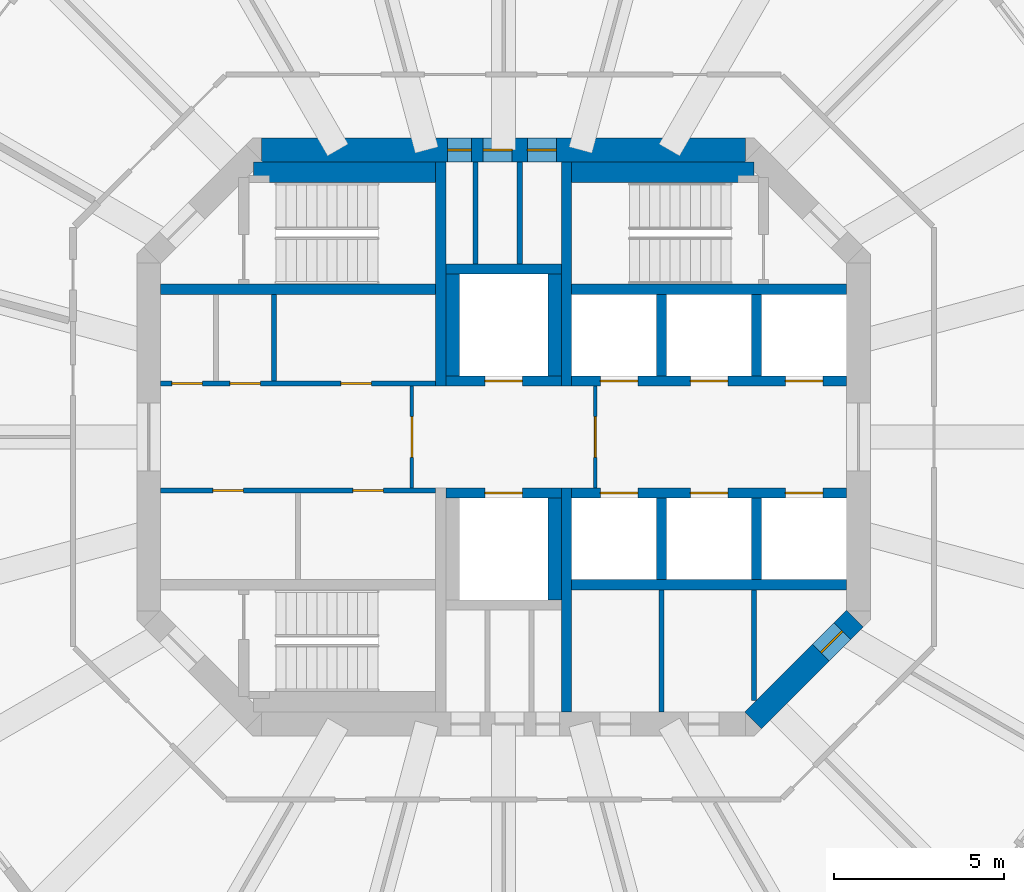
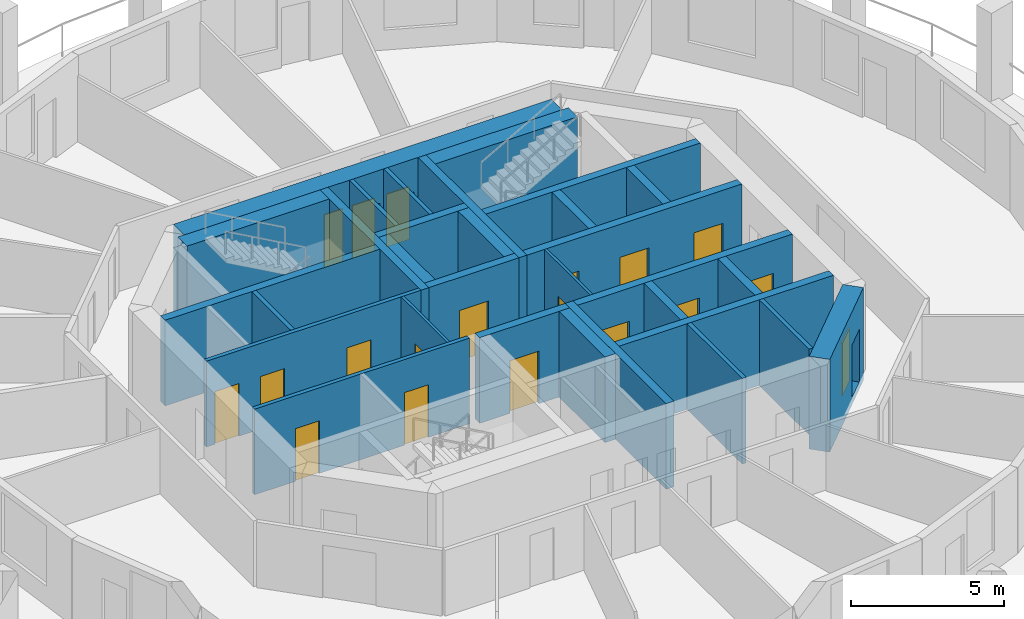
# One storey, part 4 of 8: 31 walls, 19 doors, 19 openings.
"""IFC4 building model written with IfcOpenShell, lengths in metres."""

from ifc_helpers import new_model, si_unit, direction, frame, frame_2d, origin, place, context, subcontext, project, spatial, rectangle, extrude, material, layer, layer_set, type_object, element, fill, save


model = new_model("IFC4")

# Units and contexts
model_context = context("Model", 3, precision=1e-05, world=origin(), true_north=direction((0.0, 1.0)))
body_context = subcontext(model_context, "Body", "Model", "MODEL_VIEW")
ifc_project = project(units=[si_unit("LENGTHUNIT", "METRE"), si_unit("AREAUNIT", "SQUARE_METRE"), si_unit("VOLUMEUNIT", "CUBIC_METRE"), si_unit("PLANEANGLEUNIT", "RADIAN"), si_unit("MASSUNIT", "GRAM", prefix="KILO")], contexts=[model_context])

# Site, building, storey
site_placement = place(None, origin())
site = spatial("IfcSite", under=ifc_project, at=site_placement, CompositionType="ELEMENT")
building_placement = place(site_placement, origin())
building = spatial("IfcBuilding", under=site, at=building_placement, Name="Torre Triforio", CompositionType="ELEMENT")
storey_placement = place(building_placement, frame((0.0, 0.0, 203.89990234375)))
storey = spatial("IfcBuildingStorey", under=building, at=storey_placement, Name="L46", CompositionType="ELEMENT", Elevation=203.89990234375)

# Walls
ifc_material_1 = material(Name="Concrete C50", Category="concrete")
ifc_layer_1 = layer(ifc_material_1, 0.300048828125)
ifc_layer_set_1 = layer_set([ifc_layer_1], Name="Concrete C50")
wall_type_1 = type_object("IfcWallType", Name="Core wall 300 mm C50 EI 120", PredefinedType="SHEAR", material=ifc_layer_set_1)
for number, where, z_axis, x_axis, name in (
    (1, (-1.85009765625, 1.5, 0.0), (0.0, 0.0, 1.0), (0.0, 1.0, 0.0), "Core wall"),
    (2, (1.85009765625, 1.5, 0.0), (0.0, 0.0, 1.0), (0.0, 1.0, 0.0), "Core wall"),
    (3, (1.85009765625, -8.10009765625, 0.0), (0.0, 0.0, 1.0), (0.0, 1.0, 0.0), "Core wall"),
):
    element("IfcWall", number, at=place(storey_placement, frame(where, z_axis=z_axis, x_axis=x_axis)), inside=storey, type_object=wall_type_1, Name=name, PredefinedType="SHEAR", context=body_context, shape_type="SweptSolid", body=[
        extrude(rectangle(XDim=6.60009765625, YDim=0.300048828125, at=frame_2d((3.300048828125, 0.0))), origin(), (0.0, 0.0, 1.0), 3.420166015625),
    ])

# Wall, openings, doors
ifc_layer_2 = layer(ifc_material_1, 0.699951171875)
ifc_layer_set_2 = layer_set([ifc_layer_2], Name="Concrete C50")
wall_type_2 = type_object("IfcWallType", Name="Core wall 700 mm C50 EI 120", PredefinedType="SHEAR", material=ifc_layer_set_2)
wall_1_placement = place(storey_placement, frame((-7.1298828125, 8.449951171875, -0.27978515625), z_axis=(0.0, 0.0, 1.0), x_axis=(1.0, 0.0, 0.0)))
wall_1 = element("IfcWall", 4, at=wall_1_placement, inside=storey, type_object=wall_type_2, Name="Core wall", PredefinedType="SHEAR", context=body_context, shape_type="SweptSolid", body=[
    extrude(rectangle(XDim=14.259765625, YDim=0.699951171875, at=frame_2d((7.1298828125, 0.0))), origin(), (0.0, 0.0, 1.0), 3.699951171875),
])
opening_1_placement = place(wall_1_placement, frame((5.47998046875, 0.0, 0.280029296875)))
opening_1 = element("IfcOpeningElement", 5, at=opening_1_placement, cuts=wall_1, Name="Opening RISER-N", PredefinedType="OPENING", context=body_context, shape_type="SweptSolid", body=[
    extrude(rectangle(XDim=0.699951171875, YDim=2.10009765625, at=frame_2d((0.35009765625, 1.050048828125))), frame((0.0, 0.35986328125, 0.0), z_axis=(0.0, -1.0, 0.0), x_axis=(1.0, 0.0, 0.0)), (0.0, 0.0, 1.0), 0.719970703125),
])
opening_2_placement = place(wall_1_placement, frame((6.530029296875, 0.0, 0.280029296875)))
opening_2 = element("IfcOpeningElement", 6, at=opening_2_placement, cuts=wall_1, Name="Opening NE-01A", PredefinedType="OPENING", context=body_context, shape_type="SweptSolid", body=[
    extrude(rectangle(XDim=0.85009765625, YDim=2.10009765625, at=frame_2d((0.425048828125, 1.050048828125))), frame((0.0, 0.35986328125, 0.0), z_axis=(0.0, -1.0, 0.0), x_axis=(1.0, 0.0, 0.0)), (0.0, 0.0, 1.0), 0.719970703125),
])
opening_3_placement = place(wall_1_placement, frame((7.830078125, 0.0, 0.280029296875)))
opening_3 = element("IfcOpeningElement", 7, at=opening_3_placement, cuts=wall_1, Name="Opening NE-02", PredefinedType="OPENING", context=body_context, shape_type="SweptSolid", body=[
    extrude(rectangle(XDim=0.85009765625, YDim=2.10009765625, at=frame_2d((0.425048828125, 1.050048828125))), frame((0.0, 0.35986328125, 0.0), z_axis=(0.0, -1.0, 0.0), x_axis=(1.0, 0.0, 0.0)), (0.0, 0.0, 1.0), 0.719970703125),
])
ifc_material_2 = material(Name="Hollow metal fire door leaf")
door_type_1 = type_object("IfcDoorType", Name="Plant room door 850 x 2100 EI 60", OperationType="NOTDEFINED", PredefinedType="DOOR", material=ifc_material_2)
door_1_placement = place(opening_3_placement, origin())
door_1 = element("IfcDoor", 8, at=door_1_placement, inside=storey, type_object=door_type_1, Name="Core door NE-02", OperationType="SINGLE_SWING_RIGHT", OverallHeight=2.10009765625, OverallWidth=0.85009765625, PredefinedType="DOOR", context=body_context, shape_type="SweptSolid", body=[
    extrude(rectangle(XDim=0.85009765625, YDim=2.10009765625, at=frame_2d((0.425048828125, 1.050048828125))), frame((0.0, 0.02490234375, 0.0), z_axis=(0.0, -1.0, 0.0), x_axis=(1.0, 0.0, 0.0)), (0.0, 0.0, 1.0), 0.050048828125),
])
fill(opening_3, door_1)
door_type_2 = type_object("IfcDoorType", Name="Riser door 700 x 2100 EI 60", OperationType="NOTDEFINED", PredefinedType="DOOR", material=ifc_material_2)
door_2_placement = place(opening_1_placement, origin())
door_2 = element("IfcDoor", 9, at=door_2_placement, inside=storey, type_object=door_type_2, Name="Core door RISER-N", OperationType="SINGLE_SWING_LEFT", OverallHeight=2.10009765625, OverallWidth=0.699951171875, PredefinedType="DOOR", context=body_context, shape_type="SweptSolid", body=[
    extrude(rectangle(XDim=0.699951171875, YDim=2.10009765625, at=frame_2d((0.35009765625, 1.050048828125))), frame((0.0, 0.02490234375, 0.0), z_axis=(0.0, -1.0, 0.0), x_axis=(1.0, 0.0, 0.0)), (0.0, 0.0, 1.0), 0.050048828125),
])
fill(opening_1, door_2)
door_type_3 = type_object("IfcDoorType", Name="Room door 850 x 2100 EI 60", OperationType="NOTDEFINED", PredefinedType="DOOR", material=ifc_material_2)
door_3_placement = place(opening_2_placement, origin())
door_3 = element("IfcDoor", 10, at=door_3_placement, inside=storey, type_object=door_type_3, Name="Core door NE-01", OperationType="SINGLE_SWING_LEFT", OverallHeight=2.10009765625, OverallWidth=0.85009765625, PredefinedType="DOOR", context=body_context, shape_type="SweptSolid", body=[
    extrude(rectangle(XDim=0.85009765625, YDim=2.10009765625, at=frame_2d((0.425048828125, 1.050048828125))), frame((0.0, 0.02490234375, 0.0), z_axis=(0.0, -1.0, 0.0), x_axis=(1.0, 0.0, 0.0)), (0.0, 0.0, 1.0), 0.050048828125),
])
fill(opening_2, door_3)

# Wall, opening, door
wall_2_placement = place(storey_placement, frame((10.347412109375, -5.347412109375, -0.27978515625), z_axis=(0.0, 0.0, 1.0), x_axis=(-0.707106781187, -0.707106781187, 0.0)))
wall_2 = element("IfcWall", 11, at=wall_2_placement, inside=storey, type_object=wall_type_2, Name="Core wall", PredefinedType="SHEAR", context=body_context, shape_type="SweptSolid", body=[
    extrude(rectangle(XDim=4.24267578125, YDim=0.699951171875, at=frame_2d((2.121337890625, 0.0))), origin(), (0.0, 0.0, 1.0), 3.699951171875),
])
opening_4_placement = place(wall_2_placement, frame((0.52001953125, 0.0, 0.280029296875)))
opening_4 = element("IfcOpeningElement", 12, at=opening_4_placement, cuts=wall_2, Name="Opening SE-03", PredefinedType="OPENING", context=body_context, shape_type="SweptSolid", body=[
    extrude(rectangle(XDim=0.89990234375, YDim=2.10009765625, at=frame_2d((0.449951171875, 1.050048828125))), frame((0.0, 0.35986328125, 0.0), z_axis=(0.0, -1.0, 0.0), x_axis=(1.0, 0.0, 0.0)), (0.0, 0.0, 1.0), 0.719970703125),
])
door_type_4 = type_object("IfcDoorType", Name="Room door 900 x 2100 EI 60", OperationType="NOTDEFINED", PredefinedType="DOOR", material=ifc_material_2)
door_4_placement = place(opening_4_placement, origin())
door_4 = element("IfcDoor", 13, at=door_4_placement, inside=storey, type_object=door_type_4, Name="Core door SE-03", OperationType="SINGLE_SWING_RIGHT", OverallHeight=2.10009765625, OverallWidth=0.89990234375, PredefinedType="DOOR", context=body_context, shape_type="SweptSolid", body=[
    extrude(rectangle(XDim=0.89990234375, YDim=2.10009765625, at=frame_2d((0.449951171875, 1.050048828125))), frame((0.0, 0.02490234375, 0.0), z_axis=(0.0, -1.0, 0.0), x_axis=(1.0, 0.0, 0.0)), (0.0, 0.0, 1.0), 0.050048828125),
])
fill(opening_4, door_4)

ifc_material_3 = material(Name="Block and board partition")
ifc_layer_3 = layer(ifc_material_3, 0.10009765625)
ifc_layer_set_3 = layer_set([ifc_layer_3], Name="Block and board partition")
wall_type_3 = type_object("IfcWallType", Name="Partition 100 mm EI 120", PredefinedType="PARTITIONING", material=ifc_layer_set_3)
wall_3_placement = place(storey_placement, frame((-2.699951171875, -1.5, 0.0), z_axis=(0.0, 0.0, 1.0), x_axis=(0.0, 1.0, 0.0)))
wall_3 = element("IfcWall", 14, at=wall_3_placement, inside=storey, type_object=wall_type_3, Name="Partition", PredefinedType="PARTITIONING", context=body_context, shape_type="SweptSolid", body=[
    extrude(rectangle(XDim=3.0, YDim=0.10009765625, at=frame_2d((1.5, 0.0))), origin(), (0.0, 0.0, 1.0), 3.420166015625),
])
opening_5_placement = place(wall_3_placement, frame((0.89990234375, 0.0, 0.0)))
opening_5 = element("IfcOpeningElement", 15, at=opening_5_placement, cuts=wall_3, Name="Opening FF-W", PredefinedType="OPENING", context=body_context, shape_type="SweptSolid", body=[
    extrude(rectangle(XDim=1.199951171875, YDim=2.10009765625, at=frame_2d((0.60009765625, 1.050048828125))), frame((0.0, 0.06005859375, 0.0), z_axis=(0.0, -1.0, 0.0), x_axis=(1.0, 0.0, 0.0)), (0.0, 0.0, 1.0), 0.1201171875),
])
door_type_5 = type_object("IfcDoorType", Name="Fire-fighting lobby door 1200 x 2100 EI 60", OperationType="NOTDEFINED", PredefinedType="DOOR", material=ifc_material_2)
door_5_placement = place(opening_5_placement, origin())
door_5 = element("IfcDoor", 16, at=door_5_placement, inside=storey, type_object=door_type_5, Name="Core door FF-W", OperationType="SINGLE_SWING_RIGHT", OverallHeight=2.10009765625, OverallWidth=1.199951171875, PredefinedType="DOOR", context=body_context, shape_type="SweptSolid", body=[
    extrude(rectangle(XDim=1.199951171875, YDim=2.10009765625, at=frame_2d((0.60009765625, 1.050048828125))), frame((0.0, 0.02490234375, 0.0), z_axis=(0.0, -1.0, 0.0), x_axis=(1.0, 0.0, 0.0)), (0.0, 0.0, 1.0), 0.050048828125),
])
fill(opening_5, door_5)

wall_4_placement = place(storey_placement, frame((2.699951171875, -1.5, 0.0), z_axis=(0.0, 0.0, 1.0), x_axis=(0.0, 1.0, 0.0)))
wall_4 = element("IfcWall", 17, at=wall_4_placement, inside=storey, type_object=wall_type_3, Name="Partition", PredefinedType="PARTITIONING", context=body_context, shape_type="SweptSolid", body=[
    extrude(rectangle(XDim=3.0, YDim=0.10009765625, at=frame_2d((1.5, 0.0))), origin(), (0.0, 0.0, 1.0), 3.420166015625),
])
opening_6_placement = place(wall_4_placement, frame((0.89990234375, 0.0, 0.0)))
opening_6 = element("IfcOpeningElement", 18, at=opening_6_placement, cuts=wall_4, Name="Opening FF-E", PredefinedType="OPENING", context=body_context, shape_type="SweptSolid", body=[
    extrude(rectangle(XDim=1.199951171875, YDim=2.10009765625, at=frame_2d((0.60009765625, 1.050048828125))), frame((0.0, 0.06005859375, 0.0), z_axis=(0.0, -1.0, 0.0), x_axis=(1.0, 0.0, 0.0)), (0.0, 0.0, 1.0), 0.1201171875),
])
door_6_placement = place(opening_6_placement, origin())
door_6 = element("IfcDoor", 19, at=door_6_placement, inside=storey, type_object=door_type_5, Name="Core door FF-E", OperationType="SINGLE_SWING_RIGHT", OverallHeight=2.10009765625, OverallWidth=1.199951171875, PredefinedType="DOOR", context=body_context, shape_type="SweptSolid", body=[
    extrude(rectangle(XDim=1.199951171875, YDim=2.10009765625, at=frame_2d((0.60009765625, 1.050048828125))), frame((0.0, 0.02490234375, 0.0), z_axis=(0.0, -1.0, 0.0), x_axis=(1.0, 0.0, 0.0)), (0.0, 0.0, 1.0), 0.050048828125),
])
fill(opening_6, door_6)

# Walls
ifc_layer_4 = layer(ifc_material_3, 0.14990234375)
ifc_layer_set_4 = layer_set([ifc_layer_4], Name="Block and board partition")
wall_type_4 = type_object("IfcWallType", Name="Partition 150 mm", PredefinedType="PARTITIONING", material=ifc_layer_set_4)
wall_5_placement = place(storey_placement, frame((0.47509765625, 5.10009765625, 0.0), z_axis=(0.0, 0.0, 1.0), x_axis=(0.0, 1.0, 0.0)))
element("IfcWall", 20, at=wall_5_placement, inside=storey, type_object=wall_type_4, Name="Partition", PredefinedType="PARTITIONING", context=body_context, shape_type="SweptSolid", body=[
    extrude(rectangle(XDim=3.0, YDim=0.14990234375, at=frame_2d((1.5, 0.0))), origin(), (0.0, 0.0, 1.0), 3.420166015625),
])
wall_6_placement = place(storey_placement, frame((4.64892578125, -8.10009765625, 0.0), z_axis=(0.0, 0.0, 1.0), x_axis=(0.0, 1.0, 0.0)))
element("IfcWall", 21, at=wall_6_placement, inside=storey, type_object=wall_type_4, Name="Partition", PredefinedType="PARTITIONING", context=body_context, shape_type="SweptSolid", body=[
    extrude(rectangle(XDim=3.60009765625, YDim=0.14990234375, at=frame_2d((1.800048828125, 0.0))), origin(), (0.0, 0.0, 1.0), 3.420166015625),
])
wall_7_placement = place(storey_placement, frame((7.373046875, -7.751953125, 0.0), z_axis=(0.0, 0.0, 1.0), x_axis=(0.0, 1.0, 0.0)))
element("IfcWall", 22, at=wall_7_placement, inside=storey, type_object=wall_type_4, Name="Partition", PredefinedType="PARTITIONING", context=body_context, shape_type="SweptSolid", body=[
    extrude(rectangle(XDim=3.251953125, YDim=0.14990234375, at=frame_2d((1.6259765625, 0.0))), origin(), (0.0, 0.0, 1.0), 3.420166015625),
])
wall_8_placement = place(storey_placement, frame((-6.7548828125, 1.64990234375, 0.0), z_axis=(0.0, 0.0, 1.0), x_axis=(0.0, 1.0, 0.0)))
element("IfcWall", 23, at=wall_8_placement, inside=storey, type_object=wall_type_4, Name="Partition", PredefinedType="PARTITIONING", context=body_context, shape_type="SweptSolid", body=[
    extrude(rectangle(XDim=2.550048828125, YDim=0.14990234375, at=frame_2d((1.27490234375, 0.0))), origin(), (0.0, 0.0, 1.0), 3.420166015625),
])
ifc_layer_5 = layer(ifc_material_3, 0.14990234375)
ifc_layer_set_5 = layer_set([ifc_layer_5], Name="Block and board partition")
wall_type_5 = type_object("IfcWallType", Name="Partition 150 mm EI 120", PredefinedType="PARTITIONING", material=ifc_layer_set_5)
wall_9_placement = place(storey_placement, frame((-0.824951171875, 5.10009765625, 0.0), z_axis=(0.0, 0.0, 1.0), x_axis=(0.0, 1.0, 0.0)))
element("IfcWall", 24, at=wall_9_placement, inside=storey, type_object=wall_type_5, Name="Partition", PredefinedType="PARTITIONING", context=body_context, shape_type="SweptSolid", body=[
    extrude(rectangle(XDim=3.0, YDim=0.14990234375, at=frame_2d((1.5, 0.0))), origin(), (0.0, 0.0, 1.0), 3.420166015625),
])

# Wall, openings, doors
wall_10_placement = place(storey_placement, frame((-10.10009765625, 1.574951171875, 0.0), z_axis=(0.0, 0.0, 1.0), x_axis=(1.0, 0.0, 0.0)))
wall_10 = element("IfcWall", 25, at=wall_10_placement, inside=storey, type_object=wall_type_5, Name="Partition", PredefinedType="PARTITIONING", context=body_context, shape_type="SweptSolid", body=[
    extrude(rectangle(XDim=8.10009765625, YDim=0.14990234375, at=frame_2d((4.050048828125, 0.0))), origin(), (0.0, 0.0, 1.0), 3.420166015625),
])
opening_7_placement = place(wall_10_placement, frame((0.330078125, 0.0, 0.0)))
opening_7 = element("IfcOpeningElement", 26, at=opening_7_placement, cuts=wall_10, Name="Opening FN-01", PredefinedType="OPENING", context=body_context, shape_type="SweptSolid", body=[
    extrude(rectangle(XDim=0.89990234375, YDim=2.10009765625, at=frame_2d((0.449951171875, 1.050048828125))), frame((0.0, 0.0849609375, 0.0), z_axis=(0.0, -1.0, 0.0), x_axis=(1.0, 0.0, 0.0)), (0.0, 0.0, 1.0), 0.169921875),
])
opening_8_placement = place(wall_10_placement, frame((2.0400390625, 0.0, 0.0)))
opening_8 = element("IfcOpeningElement", 27, at=opening_8_placement, cuts=wall_10, Name="Opening FN-02", PredefinedType="OPENING", context=body_context, shape_type="SweptSolid", body=[
    extrude(rectangle(XDim=0.89990234375, YDim=2.10009765625, at=frame_2d((0.449951171875, 1.050048828125))), frame((0.0, 0.0849609375, 0.0), z_axis=(0.0, -1.0, 0.0), x_axis=(1.0, 0.0, 0.0)), (0.0, 0.0, 1.0), 0.169921875),
])
opening_9_placement = place(wall_10_placement, frame((5.31005859375, 0.0, 0.0)))
opening_9 = element("IfcOpeningElement", 28, at=opening_9_placement, cuts=wall_10, Name="Opening FN-03", PredefinedType="OPENING", context=body_context, shape_type="SweptSolid", body=[
    extrude(rectangle(XDim=0.89990234375, YDim=2.10009765625, at=frame_2d((0.449951171875, 1.050048828125))), frame((0.0, 0.0849609375, 0.0), z_axis=(0.0, -1.0, 0.0), x_axis=(1.0, 0.0, 0.0)), (0.0, 0.0, 1.0), 0.169921875),
])
door_7_placement = place(opening_7_placement, origin())
door_7 = element("IfcDoor", 29, at=door_7_placement, inside=storey, type_object=door_type_4, Name="Core door FN-01", OperationType="SINGLE_SWING_RIGHT", OverallHeight=2.10009765625, OverallWidth=0.89990234375, PredefinedType="DOOR", context=body_context, shape_type="SweptSolid", body=[
    extrude(rectangle(XDim=0.89990234375, YDim=2.10009765625, at=frame_2d((0.449951171875, 1.050048828125))), frame((0.0, 0.02490234375, 0.0), z_axis=(0.0, -1.0, 0.0), x_axis=(1.0, 0.0, 0.0)), (0.0, 0.0, 1.0), 0.050048828125),
])
fill(opening_7, door_7)
door_8_placement = place(opening_8_placement, origin())
door_8 = element("IfcDoor", 30, at=door_8_placement, inside=storey, type_object=door_type_4, Name="Core door FN-02", OperationType="SINGLE_SWING_RIGHT", OverallHeight=2.10009765625, OverallWidth=0.89990234375, PredefinedType="DOOR", context=body_context, shape_type="SweptSolid", body=[
    extrude(rectangle(XDim=0.89990234375, YDim=2.10009765625, at=frame_2d((0.449951171875, 1.050048828125))), frame((0.0, 0.02490234375, 0.0), z_axis=(0.0, -1.0, 0.0), x_axis=(1.0, 0.0, 0.0)), (0.0, 0.0, 1.0), 0.050048828125),
])
fill(opening_8, door_8)
door_9_placement = place(opening_9_placement, origin())
door_9 = element("IfcDoor", 31, at=door_9_placement, inside=storey, type_object=door_type_4, Name="Core door FN-03", OperationType="SINGLE_SWING_RIGHT", OverallHeight=2.10009765625, OverallWidth=0.89990234375, PredefinedType="DOOR", context=body_context, shape_type="SweptSolid", body=[
    extrude(rectangle(XDim=0.89990234375, YDim=2.10009765625, at=frame_2d((0.449951171875, 1.050048828125))), frame((0.0, 0.02490234375, 0.0), z_axis=(0.0, -1.0, 0.0), x_axis=(1.0, 0.0, 0.0)), (0.0, 0.0, 1.0), 0.050048828125),
])
fill(opening_9, door_9)

wall_11_placement = place(storey_placement, frame((-10.10009765625, -1.574951171875, 0.0), z_axis=(0.0, 0.0, 1.0), x_axis=(1.0, 0.0, 0.0)))
wall_11 = element("IfcWall", 32, at=wall_11_placement, inside=storey, type_object=wall_type_5, Name="Partition", PredefinedType="PARTITIONING", context=body_context, shape_type="SweptSolid", body=[
    extrude(rectangle(XDim=8.10009765625, YDim=0.14990234375, at=frame_2d((4.050048828125, 0.0))), origin(), (0.0, 0.0, 1.0), 3.420166015625),
])
opening_10_placement = place(wall_11_placement, frame((1.53759765625, 0.0, 0.0)))
opening_10 = element("IfcOpeningElement", 33, at=opening_10_placement, cuts=wall_11, Name="Opening FS-01", PredefinedType="OPENING", context=body_context, shape_type="SweptSolid", body=[
    extrude(rectangle(XDim=0.89990234375, YDim=2.10009765625, at=frame_2d((0.449951171875, 1.050048828125))), frame((0.0, 0.0849609375, 0.0), z_axis=(0.0, -1.0, 0.0), x_axis=(1.0, 0.0, 0.0)), (0.0, 0.0, 1.0), 0.169921875),
])
opening_11_placement = place(wall_11_placement, frame((5.66259765625, 0.0, 0.0)))
opening_11 = element("IfcOpeningElement", 34, at=opening_11_placement, cuts=wall_11, Name="Opening FS-02", PredefinedType="OPENING", context=body_context, shape_type="SweptSolid", body=[
    extrude(rectangle(XDim=0.89990234375, YDim=2.10009765625, at=frame_2d((0.449951171875, 1.050048828125))), frame((0.0, 0.0849609375, 0.0), z_axis=(0.0, -1.0, 0.0), x_axis=(1.0, 0.0, 0.0)), (0.0, 0.0, 1.0), 0.169921875),
])
door_10_placement = place(opening_10_placement, origin())
door_10 = element("IfcDoor", 35, at=door_10_placement, inside=storey, type_object=door_type_4, Name="Core door FS-01", OperationType="SINGLE_SWING_LEFT", OverallHeight=2.10009765625, OverallWidth=0.89990234375, PredefinedType="DOOR", context=body_context, shape_type="SweptSolid", body=[
    extrude(rectangle(XDim=0.89990234375, YDim=2.10009765625, at=frame_2d((0.449951171875, 1.050048828125))), frame((0.0, 0.02490234375, 0.0), z_axis=(0.0, -1.0, 0.0), x_axis=(1.0, 0.0, 0.0)), (0.0, 0.0, 1.0), 0.050048828125),
])
fill(opening_10, door_10)
door_11_placement = place(opening_11_placement, origin())
door_11 = element("IfcDoor", 36, at=door_11_placement, inside=storey, type_object=door_type_4, Name="Core door FS-02", OperationType="SINGLE_SWING_LEFT", OverallHeight=2.10009765625, OverallWidth=0.89990234375, PredefinedType="DOOR", context=body_context, shape_type="SweptSolid", body=[
    extrude(rectangle(XDim=0.89990234375, YDim=2.10009765625, at=frame_2d((0.449951171875, 1.050048828125))), frame((0.0, 0.02490234375, 0.0), z_axis=(0.0, -1.0, 0.0), x_axis=(1.0, 0.0, 0.0)), (0.0, 0.0, 1.0), 0.050048828125),
])
fill(opening_11, door_11)

# Walls
ifc_layer_6 = layer(ifc_material_1, 0.300048828125)
ifc_layer_set_6 = layer_set([ifc_layer_6], Name="Concrete C50")
wall_type_6 = type_object("IfcWallType", Name="Shaft wall 300 mm C50 EI 120", PredefinedType="SOLIDWALL", material=ifc_layer_set_6)
for number, where, z_axis, x_axis, name in (
    (37, (-10.10009765625, 4.35009765625, 0.0), (0.0, 0.0, 1.0), (1.0, 0.0, 0.0), "Shaft wall"),
    (38, (2.0, 4.35009765625, 0.0), (0.0, 0.0, 1.0), (1.0, 0.0, 0.0), "Shaft wall"),
    (39, (2.0, -4.35009765625, 0.0), (0.0, 0.0, 1.0), (1.0, 0.0, 0.0), "Shaft wall"),
):
    element("IfcWall", number, at=place(storey_placement, frame(where, z_axis=z_axis, x_axis=x_axis)), inside=storey, type_object=wall_type_6, Name=name, PredefinedType="SOLIDWALL", context=body_context, shape_type="SweptSolid", body=[
        extrude(rectangle(XDim=8.10009765625, YDim=0.300048828125, at=frame_2d((4.050048828125, 0.0))), origin(), (0.0, 0.0, 1.0), 3.420166015625),
    ])

# Wall, openings, doors
wall_12_placement = place(storey_placement, frame((2.0, 1.64990234375, 0.0), z_axis=(0.0, 0.0, 1.0), x_axis=(1.0, 0.0, 0.0)))
wall_12 = element("IfcWall", 40, at=wall_12_placement, inside=storey, type_object=wall_type_6, Name="Shaft wall", PredefinedType="SOLIDWALL", context=body_context, shape_type="SweptSolid", body=[
    extrude(rectangle(XDim=8.10009765625, YDim=0.300048828125, at=frame_2d((4.050048828125, 0.0))), origin(), (0.0, 0.0, 1.0), 3.420166015625),
])
opening_12_placement = place(wall_12_placement, frame((0.85009765625, 0.0, 0.0)))
opening_12 = element("IfcOpeningElement", 41, at=opening_12_placement, cuts=wall_12, Name="Opening LD", PredefinedType="OPENING", context=body_context, shape_type="SweptSolid", body=[
    extrude(rectangle(XDim=1.10009765625, YDim=2.10009765625, at=frame_2d((0.550048828125, 1.050048828125))), frame((0.0, 0.159912109375, 0.0), z_axis=(0.0, -1.0, 0.0), x_axis=(1.0, 0.0, 0.0)), (0.0, 0.0, 1.0), 0.320068359375),
])
opening_13_placement = place(wall_12_placement, frame((3.5, 0.0, 0.0)))
opening_13 = element("IfcOpeningElement", 42, at=opening_13_placement, cuts=wall_12, Name="Opening LD", PredefinedType="OPENING", context=body_context, shape_type="SweptSolid", body=[
    extrude(rectangle(XDim=1.10009765625, YDim=2.10009765625, at=frame_2d((0.550048828125, 1.050048828125))), frame((0.0, 0.159912109375, 0.0), z_axis=(0.0, -1.0, 0.0), x_axis=(1.0, 0.0, 0.0)), (0.0, 0.0, 1.0), 0.320068359375),
])
opening_14_placement = place(wall_12_placement, frame((6.300048828125, 0.0, 0.0)))
opening_14 = element("IfcOpeningElement", 43, at=opening_14_placement, cuts=wall_12, Name="Opening LD", PredefinedType="OPENING", context=body_context, shape_type="SweptSolid", body=[
    extrude(rectangle(XDim=1.10009765625, YDim=2.10009765625, at=frame_2d((0.550048828125, 1.050048828125))), frame((0.0, 0.159912109375, 0.0), z_axis=(0.0, -1.0, 0.0), x_axis=(1.0, 0.0, 0.0)), (0.0, 0.0, 1.0), 0.320068359375),
])
door_type_6 = type_object("IfcDoorType", Name="Landing door 1100 x 2100 EI 60", OperationType="DOUBLE_DOOR_SLIDING", PredefinedType="DOOR", material=ifc_material_2)
door_12_placement = place(opening_12_placement, origin())
door_12 = element("IfcDoor", 44, at=door_12_placement, inside=storey, type_object=door_type_6, Name="Landing door HR1", OperationType="DOUBLE_DOOR_SLIDING", OverallHeight=2.10009765625, OverallWidth=1.10009765625, PredefinedType="DOOR", context=body_context, shape_type="SweptSolid", body=[
    extrude(rectangle(XDim=1.10009765625, YDim=2.10009765625, at=frame_2d((0.550048828125, 1.050048828125))), frame((0.0, 0.02490234375, 0.0), z_axis=(0.0, -1.0, 0.0), x_axis=(1.0, 0.0, 0.0)), (0.0, 0.0, 1.0), 0.050048828125),
])
fill(opening_12, door_12)
door_13_placement = place(opening_13_placement, origin())
door_13 = element("IfcDoor", 45, at=door_13_placement, inside=storey, type_object=door_type_6, Name="Landing door HR2", OperationType="DOUBLE_DOOR_SLIDING", OverallHeight=2.10009765625, OverallWidth=1.10009765625, PredefinedType="DOOR", context=body_context, shape_type="SweptSolid", body=[
    extrude(rectangle(XDim=1.10009765625, YDim=2.10009765625, at=frame_2d((0.550048828125, 1.050048828125))), frame((0.0, 0.02490234375, 0.0), z_axis=(0.0, -1.0, 0.0), x_axis=(1.0, 0.0, 0.0)), (0.0, 0.0, 1.0), 0.050048828125),
])
fill(opening_13, door_13)
door_14_placement = place(opening_14_placement, origin())
door_14 = element("IfcDoor", 46, at=door_14_placement, inside=storey, type_object=door_type_6, Name="Landing door HR3", OperationType="DOUBLE_DOOR_SLIDING", OverallHeight=2.10009765625, OverallWidth=1.10009765625, PredefinedType="DOOR", context=body_context, shape_type="SweptSolid", body=[
    extrude(rectangle(XDim=1.10009765625, YDim=2.10009765625, at=frame_2d((0.550048828125, 1.050048828125))), frame((0.0, 0.02490234375, 0.0), z_axis=(0.0, -1.0, 0.0), x_axis=(1.0, 0.0, 0.0)), (0.0, 0.0, 1.0), 0.050048828125),
])
fill(opening_14, door_14)

wall_13_placement = place(storey_placement, frame((2.0, -1.64990234375, 0.0), z_axis=(0.0, 0.0, 1.0), x_axis=(1.0, 0.0, 0.0)))
wall_13 = element("IfcWall", 47, at=wall_13_placement, inside=storey, type_object=wall_type_6, Name="Shaft wall", PredefinedType="SOLIDWALL", context=body_context, shape_type="SweptSolid", body=[
    extrude(rectangle(XDim=8.10009765625, YDim=0.300048828125, at=frame_2d((4.050048828125, 0.0))), origin(), (0.0, 0.0, 1.0), 3.420166015625),
])
opening_15_placement = place(wall_13_placement, frame((0.85009765625, 0.0, 0.0)))
opening_15 = element("IfcOpeningElement", 48, at=opening_15_placement, cuts=wall_13, Name="Opening LD", PredefinedType="OPENING", context=body_context, shape_type="SweptSolid", body=[
    extrude(rectangle(XDim=1.10009765625, YDim=2.10009765625, at=frame_2d((0.550048828125, 1.050048828125))), frame((0.0, 0.159912109375, 0.0), z_axis=(0.0, -1.0, 0.0), x_axis=(1.0, 0.0, 0.0)), (0.0, 0.0, 1.0), 0.320068359375),
])
opening_16_placement = place(wall_13_placement, frame((3.5, 0.0, 0.0)))
opening_16 = element("IfcOpeningElement", 49, at=opening_16_placement, cuts=wall_13, Name="Opening LD", PredefinedType="OPENING", context=body_context, shape_type="SweptSolid", body=[
    extrude(rectangle(XDim=1.10009765625, YDim=2.10009765625, at=frame_2d((0.550048828125, 1.050048828125))), frame((0.0, 0.159912109375, 0.0), z_axis=(0.0, -1.0, 0.0), x_axis=(1.0, 0.0, 0.0)), (0.0, 0.0, 1.0), 0.320068359375),
])
opening_17_placement = place(wall_13_placement, frame((6.300048828125, 0.0, 0.0)))
opening_17 = element("IfcOpeningElement", 50, at=opening_17_placement, cuts=wall_13, Name="Opening LD", PredefinedType="OPENING", context=body_context, shape_type="SweptSolid", body=[
    extrude(rectangle(XDim=1.10009765625, YDim=2.10009765625, at=frame_2d((0.550048828125, 1.050048828125))), frame((0.0, 0.159912109375, 0.0), z_axis=(0.0, -1.0, 0.0), x_axis=(1.0, 0.0, 0.0)), (0.0, 0.0, 1.0), 0.320068359375),
])
door_15_placement = place(opening_15_placement, origin())
door_15 = element("IfcDoor", 51, at=door_15_placement, inside=storey, type_object=door_type_6, Name="Landing door HR4", OperationType="DOUBLE_DOOR_SLIDING", OverallHeight=2.10009765625, OverallWidth=1.10009765625, PredefinedType="DOOR", context=body_context, shape_type="SweptSolid", body=[
    extrude(rectangle(XDim=1.10009765625, YDim=2.10009765625, at=frame_2d((0.550048828125, 1.050048828125))), frame((0.0, 0.02490234375, 0.0), z_axis=(0.0, -1.0, 0.0), x_axis=(1.0, 0.0, 0.0)), (0.0, 0.0, 1.0), 0.050048828125),
])
fill(opening_15, door_15)
door_16_placement = place(opening_16_placement, origin())
door_16 = element("IfcDoor", 52, at=door_16_placement, inside=storey, type_object=door_type_6, Name="Landing door HR5", OperationType="DOUBLE_DOOR_SLIDING", OverallHeight=2.10009765625, OverallWidth=1.10009765625, PredefinedType="DOOR", context=body_context, shape_type="SweptSolid", body=[
    extrude(rectangle(XDim=1.10009765625, YDim=2.10009765625, at=frame_2d((0.550048828125, 1.050048828125))), frame((0.0, 0.02490234375, 0.0), z_axis=(0.0, -1.0, 0.0), x_axis=(1.0, 0.0, 0.0)), (0.0, 0.0, 1.0), 0.050048828125),
])
fill(opening_16, door_16)
door_17_placement = place(opening_17_placement, origin())
door_17 = element("IfcDoor", 53, at=door_17_placement, inside=storey, type_object=door_type_6, Name="Landing door HR6", OperationType="DOUBLE_DOOR_SLIDING", OverallHeight=2.10009765625, OverallWidth=1.10009765625, PredefinedType="DOOR", context=body_context, shape_type="SweptSolid", body=[
    extrude(rectangle(XDim=1.10009765625, YDim=2.10009765625, at=frame_2d((0.550048828125, 1.050048828125))), frame((0.0, 0.02490234375, 0.0), z_axis=(0.0, -1.0, 0.0), x_axis=(1.0, 0.0, 0.0)), (0.0, 0.0, 1.0), 0.050048828125),
])
fill(opening_17, door_17)

# Walls
for number, where, z_axis, x_axis, name in (
    (54, (4.64990234375, 1.800048828125, 0.0), (0.0, 0.0, 1.0), (0.0, 1.0, 0.0), "Shaft wall"),
    (55, (4.64990234375, -4.199951171875, 0.0), (0.0, 0.0, 1.0), (0.0, 1.0, 0.0), "Shaft wall"),
    (56, (7.449951171875, 1.800048828125, 0.0), (0.0, 0.0, 1.0), (0.0, 1.0, 0.0), "Shaft wall"),
    (57, (7.449951171875, -4.199951171875, 0.0), (0.0, 0.0, 1.0), (0.0, 1.0, 0.0), "Shaft wall"),
):
    element("IfcWall", number, at=place(storey_placement, frame(where, z_axis=z_axis, x_axis=x_axis)), inside=storey, type_object=wall_type_6, Name=name, PredefinedType="SOLIDWALL", context=body_context, shape_type="SweptSolid", body=[
        extrude(rectangle(XDim=2.39990234375, YDim=0.300048828125, at=frame_2d((1.199951171875, 0.0))), origin(), (0.0, 0.0, 1.0), 3.420166015625),
    ])

# Wall, opening, door
wall_14_placement = place(storey_placement, frame((-1.699951171875, 1.64990234375, 0.0), z_axis=(0.0, 0.0, 1.0), x_axis=(1.0, 0.0, 0.0)))
wall_14 = element("IfcWall", 58, at=wall_14_placement, inside=storey, type_object=wall_type_6, Name="Shaft wall", PredefinedType="SOLIDWALL", context=body_context, shape_type="SweptSolid", body=[
    extrude(rectangle(XDim=3.39990234375, YDim=0.300048828125, at=frame_2d((1.699951171875, 0.0))), origin(), (0.0, 0.0, 1.0), 3.420166015625),
])
opening_18_placement = place(wall_14_placement, frame((1.14990234375, 0.0, 0.0)))
opening_18 = element("IfcOpeningElement", 59, at=opening_18_placement, cuts=wall_14, Name="Opening LD", PredefinedType="OPENING", context=body_context, shape_type="SweptSolid", body=[
    extrude(rectangle(XDim=1.10009765625, YDim=2.10009765625, at=frame_2d((0.550048828125, 1.050048828125))), frame((0.0, 0.159912109375, 0.0), z_axis=(0.0, -1.0, 0.0), x_axis=(1.0, 0.0, 0.0)), (0.0, 0.0, 1.0), 0.320068359375),
])
door_18_placement = place(opening_18_placement, origin())
door_18 = element("IfcDoor", 60, at=door_18_placement, inside=storey, type_object=door_type_6, Name="Landing door FFL1", OperationType="DOUBLE_DOOR_SLIDING", OverallHeight=2.10009765625, OverallWidth=1.10009765625, PredefinedType="DOOR", context=body_context, shape_type="SweptSolid", body=[
    extrude(rectangle(XDim=1.10009765625, YDim=2.10009765625, at=frame_2d((0.550048828125, 1.050048828125))), frame((0.0, 0.02490234375, 0.0), z_axis=(0.0, -1.0, 0.0), x_axis=(1.0, 0.0, 0.0)), (0.0, 0.0, 1.0), 0.050048828125),
])
fill(opening_18, door_18)

wall_15_placement = place(storey_placement, frame((-1.699951171875, -1.64990234375, 0.0), z_axis=(0.0, 0.0, 1.0), x_axis=(1.0, 0.0, 0.0)))
wall_15 = element("IfcWall", 61, at=wall_15_placement, inside=storey, type_object=wall_type_6, Name="Shaft wall", PredefinedType="SOLIDWALL", context=body_context, shape_type="SweptSolid", body=[
    extrude(rectangle(XDim=3.39990234375, YDim=0.300048828125, at=frame_2d((1.699951171875, 0.0))), origin(), (0.0, 0.0, 1.0), 3.420166015625),
])
opening_19_placement = place(wall_15_placement, frame((1.14990234375, 0.0, 0.0)))
opening_19 = element("IfcOpeningElement", 62, at=opening_19_placement, cuts=wall_15, Name="Opening LD", PredefinedType="OPENING", context=body_context, shape_type="SweptSolid", body=[
    extrude(rectangle(XDim=1.10009765625, YDim=2.10009765625, at=frame_2d((0.550048828125, 1.050048828125))), frame((0.0, 0.159912109375, 0.0), z_axis=(0.0, -1.0, 0.0), x_axis=(1.0, 0.0, 0.0)), (0.0, 0.0, 1.0), 0.320068359375),
])
door_19_placement = place(opening_19_placement, origin())
door_19 = element("IfcDoor", 63, at=door_19_placement, inside=storey, type_object=door_type_6, Name="Landing door FFL2", OperationType="DOUBLE_DOOR_SLIDING", OverallHeight=2.10009765625, OverallWidth=1.10009765625, PredefinedType="DOOR", context=body_context, shape_type="SweptSolid", body=[
    extrude(rectangle(XDim=1.10009765625, YDim=2.10009765625, at=frame_2d((0.550048828125, 1.050048828125))), frame((0.0, 0.02490234375, 0.0), z_axis=(0.0, -1.0, 0.0), x_axis=(1.0, 0.0, 0.0)), (0.0, 0.0, 1.0), 0.050048828125),
])
fill(opening_19, door_19)

# Walls
wall_16_placement = place(storey_placement, frame((-1.699951171875, 4.949951171875, 0.0), z_axis=(0.0, 0.0, 1.0), x_axis=(1.0, 0.0, 0.0)))
element("IfcWall", 64, at=wall_16_placement, inside=storey, type_object=wall_type_6, Name="Shaft wall", PredefinedType="SOLIDWALL", context=body_context, shape_type="SweptSolid", body=[
    extrude(rectangle(XDim=3.39990234375, YDim=0.300048828125, at=frame_2d((1.699951171875, 0.0))), origin(), (0.0, 0.0, 1.0), 3.420166015625),
])
ifc_layer_7 = layer(ifc_material_1, 0.39990234375)
ifc_layer_set_7 = layer_set([ifc_layer_7], Name="Concrete C50")
wall_type_7 = type_object("IfcWallType", Name="Shaft wall 400 mm C50 EI 120", PredefinedType="SOLIDWALL", material=ifc_layer_set_7)
for number, where, z_axis, x_axis, name in (
    (65, (-1.5, 1.800048828125, 0.0), (0.0, 0.0, 1.0), (0.0, 1.0, 0.0), "Shaft wall"),
    (66, (1.5, 1.800048828125, 0.0), (0.0, 0.0, 1.0), (0.0, 1.0, 0.0), "Shaft wall"),
    (67, (1.5, -4.800048828125, 0.0), (0.0, 0.0, 1.0), (0.0, 1.0, 0.0), "Shaft wall"),
):
    element("IfcWall", number, at=place(storey_placement, frame(where, z_axis=z_axis, x_axis=x_axis)), inside=storey, type_object=wall_type_7, Name=name, PredefinedType="SOLIDWALL", context=body_context, shape_type="SweptSolid", body=[
        extrude(rectangle(XDim=3.0, YDim=0.39990234375, at=frame_2d((1.5, 0.0))), origin(), (0.0, 0.0, 1.0), 3.420166015625),
    ])
ifc_layer_8 = layer(ifc_material_1, 0.60009765625)
ifc_layer_set_8 = layer_set([ifc_layer_8], Name="Concrete C50")
wall_type_8 = type_object("IfcWallType", Name="Stair wall 600 mm C50 EI 120", PredefinedType="SHEAR", material=ifc_layer_set_8)
for number, where, z_axis, x_axis, name in (
    (68, (-7.3701171875, 7.800048828125, 0.0), (0.0, 0.0, 1.0), (1.0, 0.0, 0.0), "Stair wall"),
    (69, (2.0, 7.800048828125, 0.0), (0.0, 0.0, 1.0), (1.0, 0.0, 0.0), "Stair wall"),
):
    element("IfcWall", number, at=place(storey_placement, frame(where, z_axis=z_axis, x_axis=x_axis)), inside=storey, type_object=wall_type_8, Name=name, PredefinedType="SHEAR", context=body_context, shape_type="SweptSolid", body=[
        extrude(rectangle(XDim=5.3701171875, YDim=0.60009765625, at=frame_2d((2.68505859375, 0.0))), origin(), (0.0, 0.0, 1.0), 3.420166015625),
    ])

save(model, "model.ifc")
